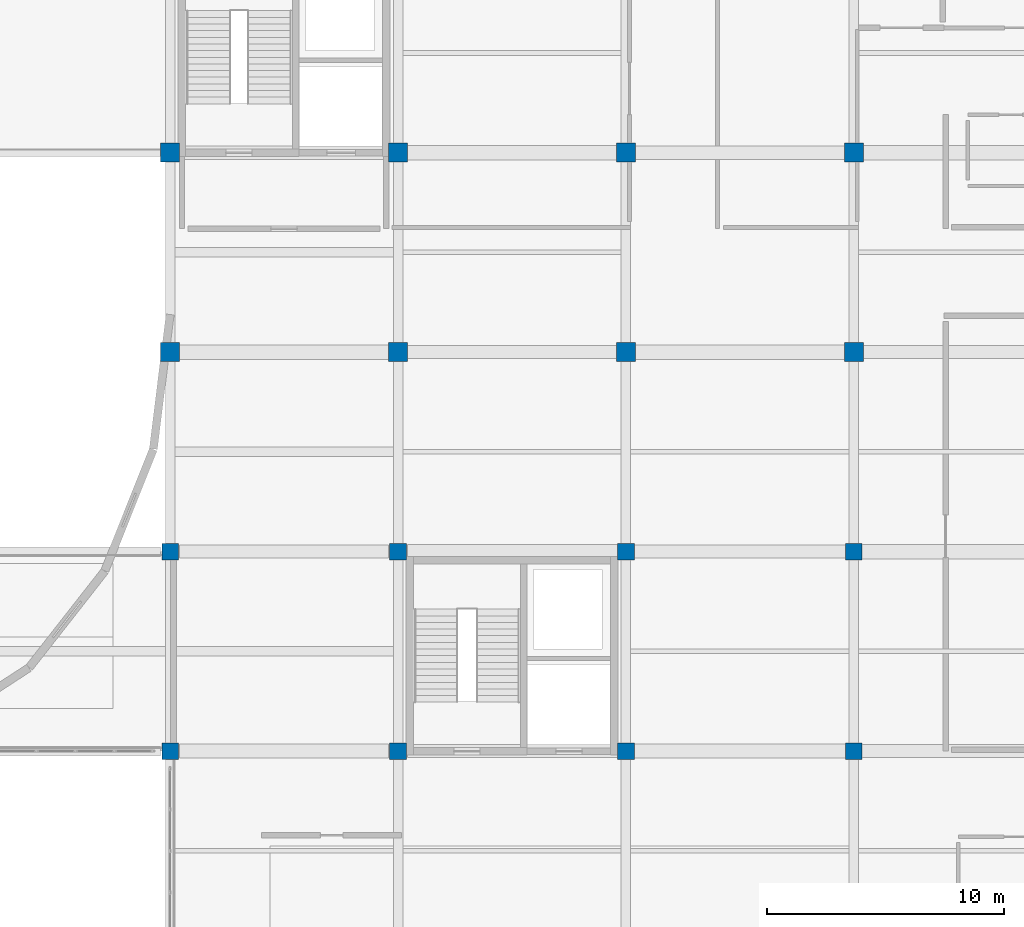
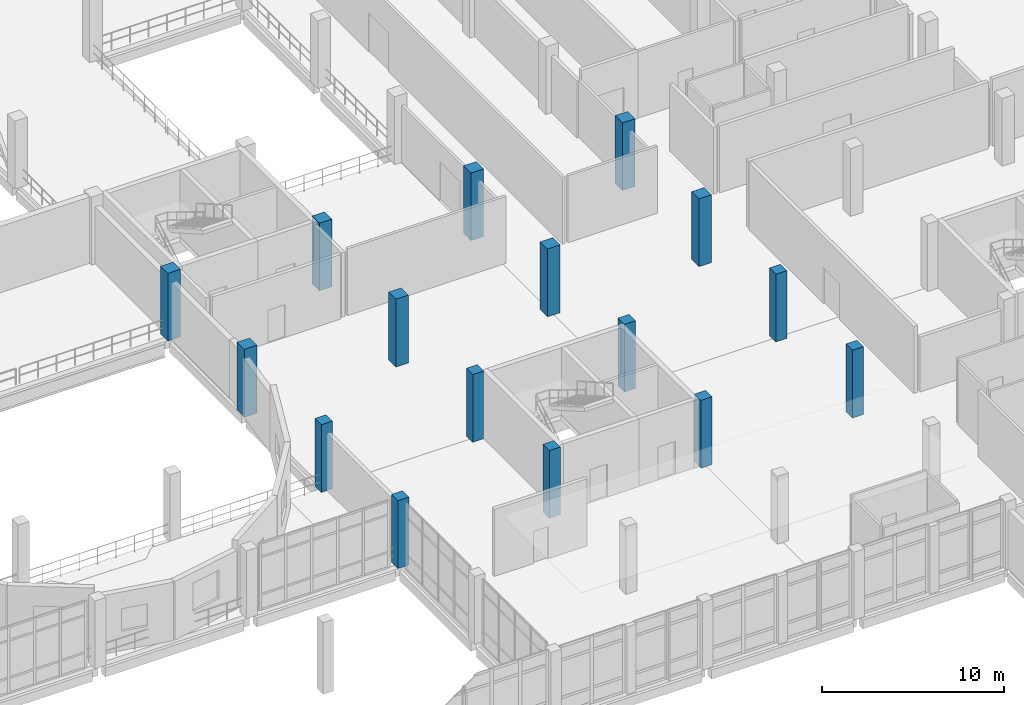
# One storey, part 8 of 102: 16 columns.
"""IFC4 building model written with IfcOpenShell, lengths in metres."""

from ifc_helpers import new_model, si_unit, direction, frame, origin, origin_2d, place, context, subcontext, project, spatial, rectangle, extrude, material, material_profile, profile_set, type_object, element, save


model = new_model("IFC4")

# Units and contexts
model_context = context("Model", 3, precision=1e-05, world=origin(), true_north=direction((0.0, 1.0)))
body_context = subcontext(model_context, "Body", "Model", "MODEL_VIEW")
ifc_project = project(units=[si_unit("LENGTHUNIT", "METRE"), si_unit("AREAUNIT", "SQUARE_METRE"), si_unit("VOLUMEUNIT", "CUBIC_METRE"), si_unit("PLANEANGLEUNIT", "RADIAN"), si_unit("MASSUNIT", "GRAM", prefix="KILO")], contexts=[model_context])

# Site, building, storey
site_placement = place(None, origin())
site = spatial("IfcSite", under=ifc_project, at=site_placement, CompositionType="ELEMENT")
building_placement = place(site_placement, origin())
building = spatial("IfcBuilding", under=site, at=building_placement, Name="Lornevale Opera House", CompositionType="ELEMENT")
storey_placement = place(building_placement, frame((0.0, 0.0, 5.39990234375)))
storey = spatial("IfcBuildingStorey", under=building, at=storey_placement, Name="L02", CompositionType="ELEMENT", Elevation=5.39990234375)

# Columns
ifc_material = material(Name="Concrete 40 MPa (CSA A23.1 C-1)", Category="concrete")
ifc_material_profile_1 = material_profile(ifc_material, rectangle(XDim=0.699951171875, YDim=0.699951171875, at=origin_2d()), Name="RC700x700")
ifc_profile_set_1 = profile_set([ifc_material_profile_1], Name="Concrete 40 MPa (CSA A23.1 C-1)")
column_type_1 = type_object("IfcColumnType", Name="Concrete Column 700x700", PredefinedType="COLUMN", material=ifc_profile_set_1)
for number, where, z_axis, x_axis, name in (
    (1, (96.0, 33.60009765625, 0.0), (0.0, 0.0, 1.0), (1.0, 0.0, 0.0), "Concrete Column 700x700 0616"),
    (2, (96.0, 42.0, 0.0), (0.0, 0.0, 1.0), (1.0, 0.0, 0.0), "Concrete Column 700x700 0622"),
    (3, (105.60009765625, 33.60009765625, 0.0), (0.0, 0.0, 1.0), (1.0, 0.0, 0.0), "Concrete Column 700x700 0697"),
    (4, (105.60009765625, 42.0, 0.0), (0.0, 0.0, 1.0), (1.0, 0.0, 0.0), "Concrete Column 700x700 0703"),
    (5, (115.199951171875, 33.60009765625, 0.0), (0.0, 0.0, 1.0), (1.0, 0.0, 0.0), "Concrete Column 700x700 0772"),
    (6, (115.199951171875, 42.0, 0.0), (0.0, 0.0, 1.0), (1.0, 0.0, 0.0), "Concrete Column 700x700 0778"),
    (7, (124.800048828125, 33.60009765625, 0.0), (0.0, 0.0, 1.0), (1.0, 0.0, 0.0), "Concrete Column 700x700 0852"),
    (8, (124.800048828125, 42.0, 0.0), (0.0, 0.0, 1.0), (1.0, 0.0, 0.0), "Concrete Column 700x700 0858"),
):
    element("IfcColumn", number, at=place(storey_placement, frame(where, z_axis=z_axis, x_axis=x_axis)), inside=storey, type_object=column_type_1, Name=name, PredefinedType="COLUMN", context=body_context, shape_type="SweptSolid", body=[
        extrude(rectangle(XDim=0.699951171875, YDim=0.699951171875, at=origin_2d()), origin(), (0.0, 0.0, 1.0), 4.5400390625),
    ])
ifc_material_profile_2 = material_profile(ifc_material, rectangle(XDim=0.800048828125, YDim=0.800048828125, at=origin_2d()), Name="RC800x800")
ifc_profile_set_2 = profile_set([ifc_material_profile_2], Name="Concrete 40 MPa (CSA A23.1 C-1)")
column_type_2 = type_object("IfcColumnType", Name="Concrete Column 800x800", PredefinedType="COLUMN", material=ifc_profile_set_2)
for number, where, z_axis, x_axis, name in (
    (9, (96.0, 50.39990234375, 0.0), (0.0, 0.0, 1.0), (1.0, 0.0, 0.0), "Concrete Column 800x800 0628"),
    (10, (96.0, 58.800048828125, 0.0), (0.0, 0.0, 1.0), (1.0, 0.0, 0.0), "Concrete Column 800x800 0636"),
    (11, (105.60009765625, 50.39990234375, 0.0), (0.0, 0.0, 1.0), (1.0, 0.0, 0.0), "Concrete Column 800x800 0709"),
    (12, (105.60009765625, 58.800048828125, 0.0), (0.0, 0.0, 1.0), (1.0, 0.0, 0.0), "Concrete Column 800x800 0717"),
    (13, (115.199951171875, 50.39990234375, 0.0), (0.0, 0.0, 1.0), (1.0, 0.0, 0.0), "Concrete Column 800x800 0784"),
    (14, (115.199951171875, 58.800048828125, 0.0), (0.0, 0.0, 1.0), (1.0, 0.0, 0.0), "Concrete Column 800x800 0792"),
    (15, (124.800048828125, 50.39990234375, 0.0), (0.0, 0.0, 1.0), (1.0, 0.0, 0.0), "Concrete Column 800x800 0864"),
    (16, (124.800048828125, 58.800048828125, 0.0), (0.0, 0.0, 1.0), (1.0, 0.0, 0.0), "Concrete Column 800x800 0872"),
):
    element("IfcColumn", number, at=place(storey_placement, frame(where, z_axis=z_axis, x_axis=x_axis)), inside=storey, type_object=column_type_2, Name=name, PredefinedType="COLUMN", context=body_context, shape_type="SweptSolid", body=[
        extrude(rectangle(XDim=0.800048828125, YDim=0.800048828125, at=origin_2d()), origin(), (0.0, 0.0, 1.0), 4.5400390625),
    ])

save(model, "model.ifc")
